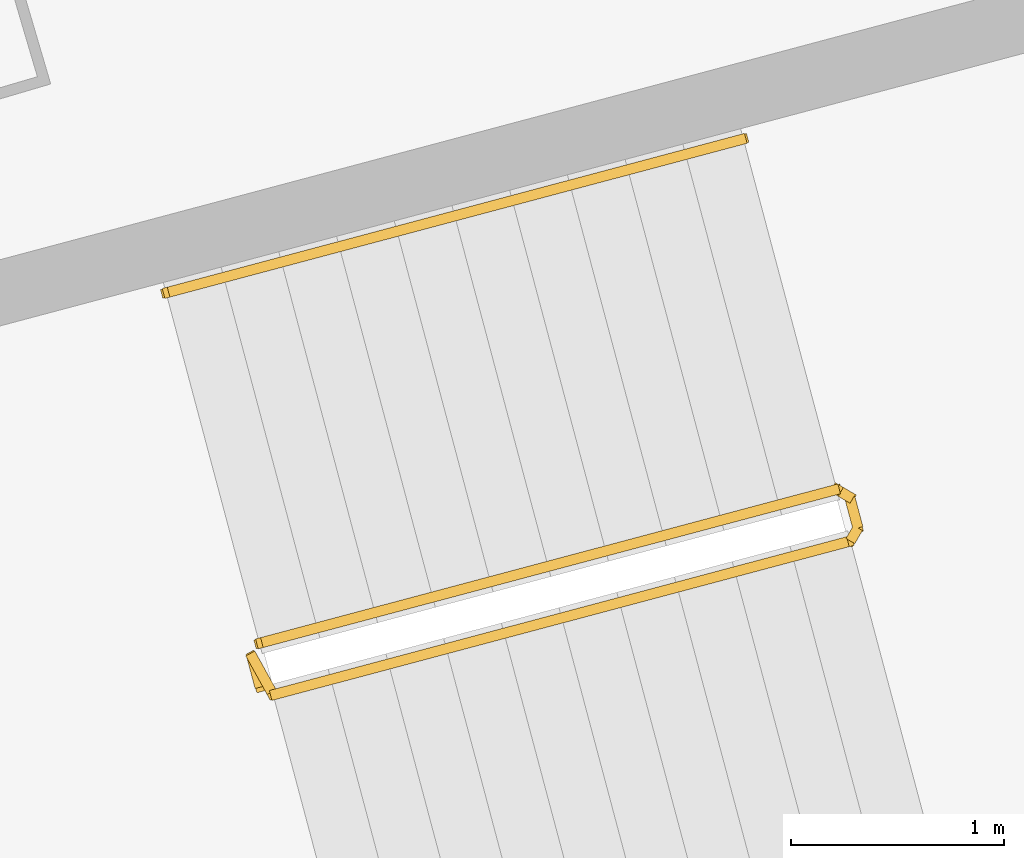
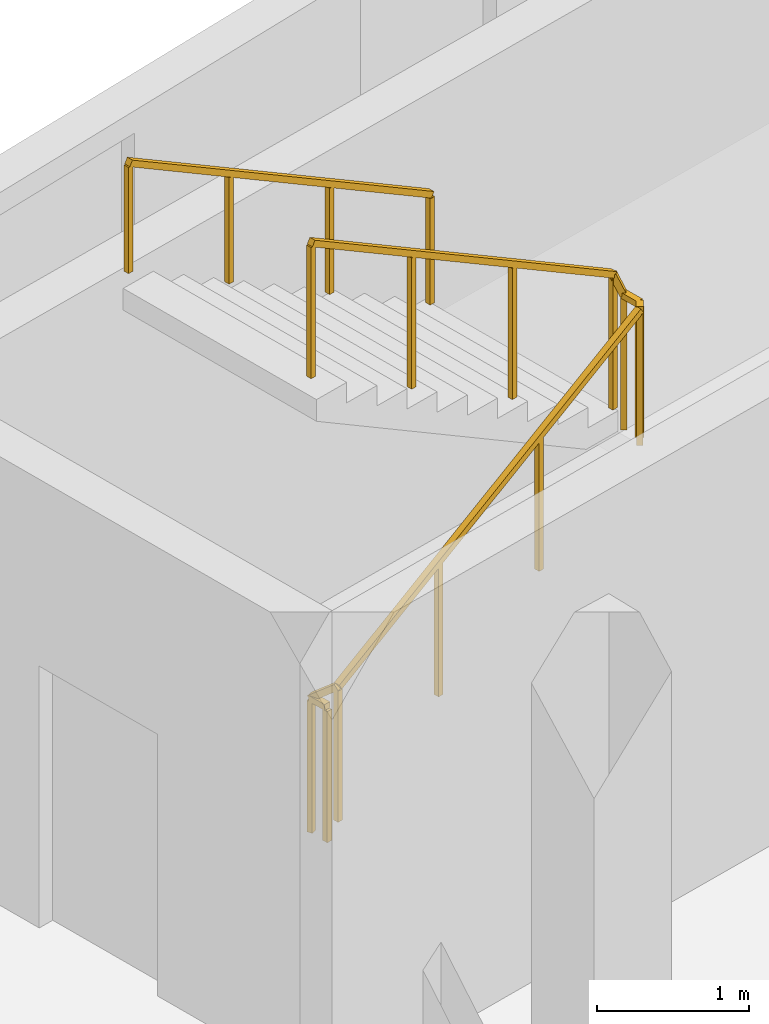
# One storey, part 20 of 20: 2 railings.
"""IFC4 building model written with IfcOpenShell, lengths in metres."""

from ifc_helpers import new_model, si_unit, direction, frame, origin, origin_2d, place, context, subcontext, project, spatial, rectangle, extrude, material, type_object, element, save


model = new_model("IFC4")

# Units and contexts
model_context = context("Model", 3, precision=1e-05, world=origin(), true_north=direction((0.0, 1.0)))
body_context = subcontext(model_context, "Body", "Model", "MODEL_VIEW")
ifc_project = project(units=[si_unit("LENGTHUNIT", "METRE"), si_unit("AREAUNIT", "SQUARE_METRE"), si_unit("VOLUMEUNIT", "CUBIC_METRE"), si_unit("PLANEANGLEUNIT", "RADIAN"), si_unit("MASSUNIT", "GRAM", prefix="KILO")], contexts=[model_context])

# Site, building, storey
site_placement = place(None, origin())
site = spatial("IfcSite", under=ifc_project, at=site_placement, CompositionType="ELEMENT")
building_placement = place(site_placement, origin())
building = spatial("IfcBuilding", under=site, at=building_placement, Name="Alderwake Tower", CompositionType="ELEMENT")
storey_placement = place(building_placement, frame((0.0, 0.0, 263.60009765625)))
storey = spatial("IfcBuildingStorey", under=building, at=storey_placement, Name="L65", CompositionType="ELEMENT", Elevation=263.60009765625)

# Railings
ifc_material_1 = material(Name="Stainless steel guard", Category="steel")
railing_type_1 = type_object("IfcRailingType", Name="Stair guard 1100", PredefinedType="GUARDRAIL", material=ifc_material_1)
railing_1_placement = place(storey_placement, frame((39.23291015625, 92.6806640625, 0.0)))
element("IfcRailing", 1, at=railing_1_placement, inside=storey, type_object=railing_type_1, Name="L65 ST-A stair guard 1", PredefinedType="GUARDRAIL", context=body_context, shape_type="SweptSolid", body=[
    extrude(rectangle(XDim=0.048095703125, YDim=0.048095703125, at=origin_2d()), frame((0.0, 0.0, 1.076171875), z_axis=(-0.257055032184, 0.966396766566, 0.0), x_axis=(-0.966396766566, -0.257055032184, 0.0)), (0.0, 0.0, 1.0), 0.150146484375),
    extrude(rectangle(XDim=0.048095703125, YDim=0.048095703125, at=origin_2d()), frame((-0.03857421875, 0.14501953125, 1.076171875), z_axis=(0.379370725808, -0.685464465458, 0.621463047167), x_axis=(0.874937996095, 0.484234966715, 0.0)), (0.0, 0.0, 1.0), 0.26318359375),
    extrude(rectangle(XDim=0.048095703125, YDim=0.048095703125, at=origin_2d()), frame((0.061279296875, -0.035400390625, 1.23974609375), z_axis=(0.834290631165, 0.222236594766, 0.504549342183), x_axis=(-0.257402139082, 0.966304371715, 0.0)), (0.0, 0.0, 1.0), 3.242919921875),
    extrude(rectangle(XDim=0.048095703125, YDim=0.048095703125, at=origin_2d()), frame((2.766845703125, 0.685302734375, 2.8759765625), z_axis=(0.500220121494, 0.865898279276, 0.0), x_axis=(-0.865898279276, 0.500220121494, 0.0)), (0.0, 0.0, 1.0), 0.07080078125),
    extrude(rectangle(XDim=0.048095703125, YDim=0.048095703125, at=origin_2d()), frame((2.80224609375, 0.74658203125, 2.8759765625), z_axis=(-0.257459803502, 0.966289009345, 0.0), x_axis=(-0.966289009345, -0.257459803502, 0.0)), (0.0, 0.0, 1.0), 0.14990234375),
    extrude(rectangle(XDim=0.048095703125, YDim=0.048095703125, at=origin_2d()), frame((2.763671875, 0.891357421875, 2.8759765625), z_axis=(-0.34209458732, 0.199783238995, 0.918181872367), x_axis=(-0.504300490226, -0.863528236688, 0.0)), (0.0, 0.0, 1.0), 0.178466796875),
    extrude(rectangle(XDim=0.048095703125, YDim=0.048095703125, at=origin_2d()), frame((2.70263671875, 0.927001953125, 3.03955078125), z_axis=(-0.834313512087, -0.222222637163, 0.504517653885), x_axis=(0.257380452725, -0.966310148221, 0.0)), (0.0, 0.0, 1.0), 3.2431640625),
    extrude(rectangle(XDim=0.0419921875, YDim=0.0419921875, at=origin_2d()), frame((0.0, 0.0, 0.0), z_axis=(0.0, 0.0, 1.0), x_axis=(-0.257055032184, 0.966396766566, 0.0)), (0.0, 0.0, 1.0), 1.052001953125),
    extrude(rectangle(XDim=0.0419921875, YDim=0.0419921875, at=origin_2d()), frame((-0.03857421875, 0.14501953125, 0.0), z_axis=(0.0, 0.0, 1.0), x_axis=(0.484234966715, -0.874937996095, 0.0)), (0.0, 0.0, 1.0), 1.052001953125),
    extrude(rectangle(XDim=0.0419921875, YDim=0.0419921875, at=origin_2d()), frame((0.061279296875, -0.035400390625, 0.16357421875), z_axis=(0.0, 0.0, 1.0), x_axis=(0.966304371715, 0.257402139082, 0.0)), (0.0, 0.0, 1.0), 1.052001953125),
    extrude(rectangle(XDim=0.0419921875, YDim=0.0419921875, at=origin_2d()), frame((0.963134765625, 0.204833984375, 0.708984375), z_axis=(0.0, 0.0, 1.0), x_axis=(0.966304371715, 0.257402139082, 0.0)), (0.0, 0.0, 1.0), 1.052001953125),
    extrude(rectangle(XDim=0.0419921875, YDim=0.0419921875, at=origin_2d()), frame((1.864990234375, 0.445068359375, 1.25439453125), z_axis=(0.0, 0.0, 1.0), x_axis=(0.966304371715, 0.257402139082, 0.0)), (0.0, 0.0, 1.0), 1.052001953125),
    extrude(rectangle(XDim=0.0419921875, YDim=0.0419921875, at=origin_2d()), frame((2.766845703125, 0.685302734375, 1.7998046875), z_axis=(0.0, 0.0, 1.0), x_axis=(0.500220121494, 0.865898279276, 0.0)), (0.0, 0.0, 1.0), 1.052001953125),
    extrude(rectangle(XDim=0.0419921875, YDim=0.0419921875, at=origin_2d()), frame((2.80224609375, 0.74658203125, 1.7998046875), z_axis=(0.0, 0.0, 1.0), x_axis=(-0.257459803502, 0.966289009345, 0.0)), (0.0, 0.0, 1.0), 1.052001953125),
    extrude(rectangle(XDim=0.0419921875, YDim=0.0419921875, at=origin_2d()), frame((2.763671875, 0.891357421875, 1.7998046875), z_axis=(0.0, 0.0, 1.0), x_axis=(-0.863528236688, 0.504300490226, 0.0)), (0.0, 0.0, 1.0), 1.052001953125),
    extrude(rectangle(XDim=0.0419921875, YDim=0.0419921875, at=origin_2d()), frame((2.70263671875, 0.927001953125, 1.963623046875), z_axis=(0.0, 0.0, 1.0), x_axis=(-0.966310148221, -0.257380452725, 0.0)), (0.0, 0.0, 1.0), 1.052001953125),
    extrude(rectangle(XDim=0.0419921875, YDim=0.0419921875, at=origin_2d()), frame((1.80078125, 0.686767578125, 2.509033203125), z_axis=(0.0, 0.0, 1.0), x_axis=(-0.966310148221, -0.257380452725, 0.0)), (0.0, 0.0, 1.0), 1.052001953125),
    extrude(rectangle(XDim=0.0419921875, YDim=0.0419921875, at=origin_2d()), frame((0.898681640625, 0.446533203125, 3.054443359375), z_axis=(0.0, 0.0, 1.0), x_axis=(-0.966310148221, -0.257380452725, 0.0)), (0.0, 0.0, 1.0), 1.052001953125),
    extrude(rectangle(XDim=0.0419921875, YDim=0.0419921875, at=origin_2d()), frame((-0.003173828125, 0.206298828125, 3.599853515625), z_axis=(0.0, 0.0, 1.0), x_axis=(-0.966310148221, -0.257380452725, 0.0)), (0.0, 0.0, 1.0), 1.052001953125),
])
ifc_material_2 = material(Name="Stainless steel handrail", Category="steel")
railing_type_2 = type_object("IfcRailingType", Name="Stair handrail 900", PredefinedType="HANDRAIL", material=ifc_material_2)
railing_2_placement = place(storey_placement, frame((41.497802734375, 95.250244140625, 1.963623046875)))
element("IfcRailing", 2, at=railing_2_placement, inside=storey, type_object=railing_type_2, Name="L65 ST-A stair handrail 2", PredefinedType="HANDRAIL", context=body_context, shape_type="SweptSolid", body=[
    extrude(rectangle(XDim=0.048095703125, YDim=0.048095703125, at=origin_2d()), frame((0.0, 0.0, 0.8759765625), z_axis=(-0.834290631165, -0.222236594766, 0.504549342183), x_axis=(0.257402139082, -0.966304371715, 0.0)), (0.0, 0.0, 1.0), 3.242919921875),
    extrude(rectangle(XDim=0.0419921875, YDim=0.0419921875, at=origin_2d()), frame((0.0, 0.0, 0.0), z_axis=(0.0, 0.0, 1.0), x_axis=(-0.966304371715, -0.257402139082, 0.0)), (0.0, 0.0, 1.0), 0.851806640625),
    extrude(rectangle(XDim=0.0419921875, YDim=0.0419921875, at=origin_2d()), frame((-0.90185546875, -0.240234375, 0.54541015625), z_axis=(0.0, 0.0, 1.0), x_axis=(-0.966304371715, -0.257402139082, 0.0)), (0.0, 0.0, 1.0), 0.851806640625),
    extrude(rectangle(XDim=0.0419921875, YDim=0.0419921875, at=origin_2d()), frame((-1.8037109375, -0.48046875, 1.0908203125), z_axis=(0.0, 0.0, 1.0), x_axis=(-0.966304371715, -0.257402139082, 0.0)), (0.0, 0.0, 1.0), 0.851806640625),
    extrude(rectangle(XDim=0.0419921875, YDim=0.0419921875, at=origin_2d()), frame((-2.70556640625, -0.720703125, 1.63623046875), z_axis=(0.0, 0.0, 1.0), x_axis=(-0.966304371715, -0.257402139082, 0.0)), (0.0, 0.0, 1.0), 0.851806640625),
])

save(model, "model.ifc")
